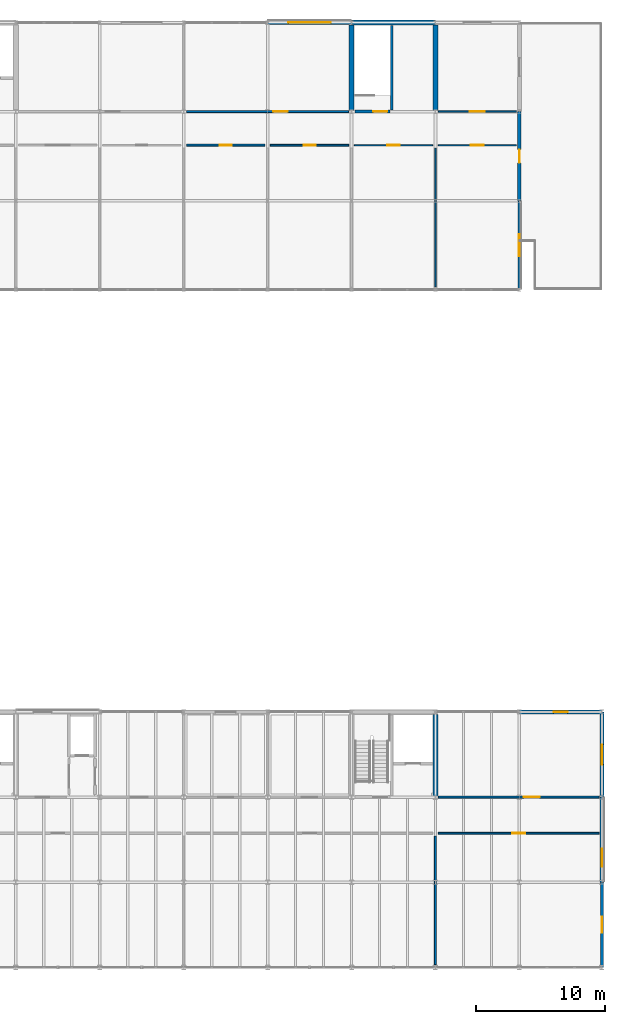
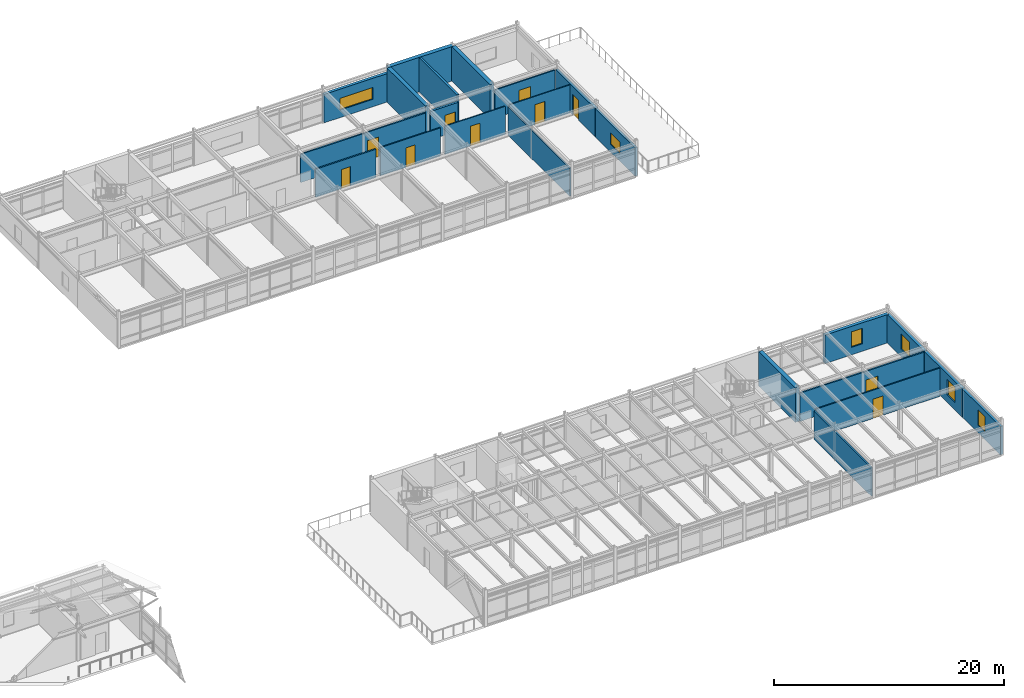
# One storey, part 50 of 57: 23 walls, 10 doors, 6 windows, 16 openings.
"""IFC4 building model written with IfcOpenShell, lengths in metres."""

import ifcopenshell
import ifcopenshell.guid

model = None  # the IFC model being written
_history = None  # IfcOwnerHistory: only IFC2X3 demands one
_inside = {}  # id of a spatial element -> (the spatial element, [elements in it])
_under = {}  # id of a project, library or spatial element -> (it, [spatial elements below it])
_declared = {}  # id of a project -> (the project, [libraries it declares])
_typed = {}  # id of a type object -> (the type object, [elements of that type])
_made_of = {}  # id of a material, layer set ... -> (it, [elements and type objects made of it])


def new_model(schema):
    """Start an empty IFC model of exactly this schema.

    Asked for "IFC4X3", IfcOpenShell would pick the latest addendum, in which some entities
    have other attributes; the version numbers below select the first issue.
    IFC2X3 requires an IfcOwnerHistory on every rooted entity: one is made here for all.
    """
    global model, _history
    if schema == "IFC4X3":
        model = ifcopenshell.file(schema_version=(4, 3, 0, 0))
    else:
        model = ifcopenshell.file(schema=schema)
    _inside.clear()
    _under.clear()
    _declared.clear()
    _typed.clear()
    _made_of.clear()
    _history = None
    if model.schema == "IFC2X3":
        org = make("IfcOrganization", Name="unknown")
        user = make(
            "IfcPersonAndOrganization",
            ThePerson=make("IfcPerson", FamilyName="unknown"),
            TheOrganization=org,
        )
        app = make(
            "IfcApplication",
            ApplicationDeveloper=org,
            Version="unknown",
            ApplicationFullName="unknown",
            ApplicationIdentifier="unknown",
        )
        _history = make(
            "IfcOwnerHistory",
            OwningUser=user,
            OwningApplication=app,
            ChangeAction="ADDED",
            CreationDate=0,
        )
    return model


def make(cls, **values):
    """One entity of the class cls with the attributes given. An attribute that is None is left unset."""
    return model.create_entity(
        cls, **{name: value for name, value in values.items() if value is not None}
    )


def rooted(cls, **values):
    """An entity with a GlobalId (a new one), such as an element, a storey or a relation."""
    return make(cls, GlobalId=ifcopenshell.guid.new(), OwnerHistory=_history, **values)


def si_unit(unit_type, name, prefix=None):
    """IfcSIUnit, for example si_unit("LENGTHUNIT", "METRE", prefix="MILLI")."""
    return make("IfcSIUnit", UnitType=unit_type, Prefix=prefix, Name=name)


def assignment(units):
    """IfcUnitAssignment: the units of a project."""
    return None if units is None else make("IfcUnitAssignment", Units=units)


def point(xyz):
    """IfcCartesianPoint."""
    return None if xyz is None else make("IfcCartesianPoint", Coordinates=xyz)


def direction(xyz):
    """IfcDirection."""
    return None if xyz is None else make("IfcDirection", DirectionRatios=xyz)


def frame(location, z_axis=None, x_axis=None):
    """IfcAxis2Placement3D, a coordinate frame: its origin and axes. An axis left out is left unset."""
    return make(
        "IfcAxis2Placement3D",
        Location=point(location),
        Axis=direction(z_axis),
        RefDirection=direction(x_axis),
    )


def frame_2d(location, x_axis=None):
    """IfcAxis2Placement2D, a coordinate frame in the plane: its origin and x axis."""
    return make(
        "IfcAxis2Placement2D", Location=point(location), RefDirection=direction(x_axis)
    )


def origin():
    """The frame at (0, 0, 0) with its axes left unset."""
    return frame((0.0, 0.0, 0.0))


def place(relative_to, where):
    """IfcLocalPlacement: puts the frame where relative to a parent placement (None: the world)."""
    return make(
        "IfcLocalPlacement", PlacementRelTo=relative_to, RelativePlacement=where
    )


def context(
    kind, dimensions, precision=None, world=None, true_north=None, identifier=None
):
    """IfcGeometricRepresentationContext, for example the 3D "Model" context."""
    return make(
        "IfcGeometricRepresentationContext",
        ContextIdentifier=identifier,
        ContextType=kind,
        CoordinateSpaceDimension=dimensions,
        Precision=precision,
        WorldCoordinateSystem=world,
        TrueNorth=true_north,
    )


def subcontext(parent, identifier, kind, view, scale=None):
    """IfcGeometricRepresentationSubContext, for example "Body" below "Model"."""
    return make(
        "IfcGeometricRepresentationSubContext",
        ContextIdentifier=identifier,
        ContextType=kind,
        ParentContext=parent,
        TargetScale=scale,
        TargetView=view,
    )


def project(units=None, contexts=None):
    """IfcProject with its units and contexts."""
    return rooted(
        "IfcProject",
        Name="project",
        RepresentationContexts=contexts,
        UnitsInContext=assignment(units),
    )


def spatial(cls, under=None, at=None, **own):
    """A site, building, storey or space (cls), placed at a placement, below another one or the project."""
    s = rooted(cls, ObjectPlacement=at, **own)
    if under is not None:
        _under.setdefault(under.id(), (under, []))[1].append(s)
    return s


def profile(cls, at=None, kind="AREA", **sizes):
    """A parametric profile (cls). Its sizes go by their IFC names, for example OverallWidth=200.0."""
    return make(cls, ProfileType=kind, Position=at, **sizes)


def rectangle(**sizes):
    """IfcRectangleProfileDef."""
    return profile("IfcRectangleProfileDef", **sizes)


def extrude(swept, where, along, depth):
    """IfcExtrudedAreaSolid: the profile swept, set in the frame where, extruded along a direction by depth."""
    return make(
        "IfcExtrudedAreaSolid",
        SweptArea=swept,
        Position=where,
        ExtrudedDirection=direction(along),
        Depth=depth,
    )


def shape(context_of_items, identifier, shape_type, items):
    """IfcShapeRepresentation: the items that make up one representation, for example the "Body"."""
    return make(
        "IfcShapeRepresentation",
        ContextOfItems=context_of_items,
        RepresentationIdentifier=identifier,
        RepresentationType=shape_type,
        Items=items,
    )


def material(Name=None, Category=None):
    """IfcMaterial."""
    return make("IfcMaterial", Name=Name, Category=Category)


def layer(
    of_material, thickness, ventilated=None, Name=None, Category=None, Priority=None
):
    """IfcMaterialLayer: one layer of a wall or slab, of a material (None: an air gap)."""
    return make(
        "IfcMaterialLayer",
        Material=of_material,
        LayerThickness=thickness,
        IsVentilated=ventilated,
        Name=Name,
        Category=Category,
        Priority=Priority,
    )


def layer_set(layers, Name=None):
    """IfcMaterialLayerSet."""
    return make("IfcMaterialLayerSet", MaterialLayers=layers, LayerSetName=Name)


def made_of(thing, what):
    """Note that an element or type object is made of a material, layer set ...; save() writes the relation."""
    if what is not None:
        _made_of.setdefault(what.id(), (what, []))[1].append(thing)
    return thing


def type_object(cls, material=None, **own):
    """A type object (cls), such as IfcWallType, which elements share."""
    return made_of(rooted(cls, **own), material)


def element(
    cls,
    number,
    at=None,
    inside=None,
    cuts=None,
    type_object=None,
    material=None,
    context=None,
    identifier="Body",
    shape_type=None,
    held_by="IfcProductDefinitionShape",
    body=None,
    shapes=None,
    **own,
):
    """One element of the class cls, such as IfcWall. Its Tag is "e" and its number.

    at: its placement. inside: the storey or other place that contains it. cuts: it is an
    opening in that element (IfcRelVoidsElement). A single representation is given by context,
    identifier, shape_type and body (its items); several are given by shapes. held_by: the class
    of the entity that holds the representations. save() writes the other relations.
    """
    e = rooted(cls, Tag="e%d" % number, ObjectPlacement=at, **own)
    if body is not None:
        shapes = [shape(context, identifier, shape_type, body)]
    if shapes is not None:
        e.Representation = make(held_by, Representations=shapes)
    if inside is not None:
        _inside.setdefault(inside.id(), (inside, []))[1].append(e)
    if cuts is not None:
        rooted(
            "IfcRelVoidsElement", RelatingBuildingElement=cuts, RelatedOpeningElement=e
        )
    if type_object is not None:
        _typed.setdefault(type_object.id(), (type_object, []))[1].append(e)
    return made_of(e, material)


def fill(opening, filler):
    """IfcRelFillsElement: the door or window that sits in an opening."""
    return rooted(
        "IfcRelFillsElement",
        RelatingOpeningElement=opening,
        RelatedBuildingElement=filler,
    )


def aggregate(whole, parts):
    """IfcRelAggregates: a whole, such as a stair, and the parts it consists of."""
    return rooted("IfcRelAggregates", RelatingObject=whole, RelatedObjects=parts)


def save(model, path):
    """Write the relations noted so far, then the file.

    IfcRelAggregates (storeys below a building ...), IfcRelContainedInSpatialStructure (elements
    in a storey), IfcRelDefinesByType, IfcRelAssociatesMaterial and IfcRelDeclares: one each for
    every whole, place, type object, material and project.
    """
    for whole, parts in _under.values():
        aggregate(whole, parts)
    for where, things in _inside.values():
        rooted(
            "IfcRelContainedInSpatialStructure",
            RelatedElements=things,
            RelatingStructure=where,
        )
    for kind, things in _typed.values():
        rooted("IfcRelDefinesByType", RelatedObjects=things, RelatingType=kind)
    for what, things in _made_of.values():
        rooted("IfcRelAssociatesMaterial", RelatedObjects=things, RelatingMaterial=what)
    for by, libraries in _declared.values():
        rooted("IfcRelDeclares", RelatingContext=by, RelatedDefinitions=libraries)
    model.write(path)


model = new_model("IFC4")

# Units and contexts
model_context = context("Model", 3, precision=1e-05, world=origin(), true_north=direction((0.0, 1.0)))
body_context = subcontext(model_context, "Body", "Model", "MODEL_VIEW")
ifc_project = project(units=[si_unit("LENGTHUNIT", "METRE"), si_unit("AREAUNIT", "SQUARE_METRE"), si_unit("VOLUMEUNIT", "CUBIC_METRE"), si_unit("PLANEANGLEUNIT", "RADIAN"), si_unit("MASSUNIT", "GRAM", prefix="KILO")], contexts=[model_context])

# Site, building, storey
site_placement = place(None, origin())
site = spatial("IfcSite", under=ifc_project, at=site_placement, CompositionType="ELEMENT")
building_placement = place(site_placement, origin())
building = spatial("IfcBuilding", under=site, at=building_placement, Name="Trelmorton Wharf Fire Station", CompositionType="ELEMENT")
storey_placement = place(building_placement, frame((0.0, 0.0, 13.5)))
storey = spatial("IfcBuildingStorey", under=building, at=storey_placement, Name="L03", CompositionType="ELEMENT", Elevation=13.5)

# Wall, opening, window
ifc_material_1 = material(Name="Precast concrete 45 MPa", Category="concrete")
ifc_layer_1 = layer(ifc_material_1, 0.22998046875)
ifc_layer_set_1 = layer_set([ifc_layer_1], Name="Precast concrete 45 MPa")
wall_type_1 = type_object("IfcWallType", Name="EW_PREC_230", PredefinedType="SOLIDWALL", material=ifc_layer_set_1)
wall_1_placement = place(storey_placement, frame((156.0, 67.195068359375, 0.0), z_axis=(0.0, 0.0, 1.0), x_axis=(0.0, -1.0, 0.0)))
wall_1 = element("IfcWall", 1, at=wall_1_placement, inside=storey, type_object=wall_type_1, Name="EW-V4-L03-0240", PredefinedType="SOLIDWALL", context=body_context, shape_type="SweptSolid", body=[
    extrude(rectangle(XDim=6.89013671875, YDim=0.22998046875, at=frame_2d((3.445068359375, 0.0))), origin(), (0.0, 0.0, 1.0), 3.02001953125),
])
opening_1_placement = place(wall_1_placement, frame((2.594970703125, 0.0, 0.800048828125)))
opening_1 = element("IfcOpeningElement", 2, at=opening_1_placement, cuts=wall_1, Name="Opening W32", PredefinedType="OPENING", context=body_context, shape_type="SweptSolid", body=[
    extrude(rectangle(XDim=1.699951171875, YDim=1.25, at=frame_2d((0.85009765625, 0.625))), frame((0.0, 0.125, 0.0), z_axis=(0.0, -1.0, 0.0), x_axis=(1.0, 0.0, 0.0)), (0.0, 0.0, 1.0), 0.25),
])
ifc_material_2 = material(Name="Tempered low-E double glazing", Category="glass")
window_type_1 = type_object("IfcWindowType", Name="WIN_W32", PartitioningType="DOUBLE_PANEL_VERTICAL", PredefinedType="WINDOW", material=ifc_material_2)
window_1_placement = place(opening_1_placement, origin())
window_1 = element("IfcWindow", 3, at=window_1_placement, inside=storey, type_object=window_type_1, Name="WN-V4-L03-0139", OverallHeight=1.25, OverallWidth=1.699951171875, PartitioningType="DOUBLE_PANEL_VERTICAL", PredefinedType="WINDOW", context=body_context, shape_type="SweptSolid", body=[
    extrude(rectangle(XDim=1.699951171875, YDim=1.25, at=frame_2d((0.85009765625, 0.625))), frame((0.0, 0.030029296875, 0.0), z_axis=(0.0, -1.0, 0.0), x_axis=(1.0, 0.0, 0.0)), (0.0, 0.0, 1.0), 0.06005859375),
])
fill(opening_1, window_1)

ifc_layer_2 = layer(ifc_material_1, 0.25)
ifc_layer_set_2 = layer_set([ifc_layer_2], Name="Precast concrete 45 MPa")
wall_type_2 = type_object("IfcWallType", Name="EW_PREC_250", PredefinedType="SOLIDWALL", material=ifc_layer_set_2)
wall_2_placement = place(storey_placement, frame((162.39990234375, 14.39501953125, 0.0), z_axis=(0.0, 0.0, 1.0), x_axis=(0.0, -1.0, 0.0)))
wall_2 = element("IfcWall", 4, at=wall_2_placement, inside=storey, type_object=wall_type_2, Name="EW-V5-L03-0103", PredefinedType="SOLIDWALL", context=body_context, shape_type="SweptSolid", body=[
    extrude(rectangle(XDim=6.590087890625, YDim=0.25, at=frame_2d((3.294921875, 0.0))), origin(), (0.0, 0.0, 1.0), 3.02001953125),
])
opening_2_placement = place(wall_2_placement, frame((2.669921875, 0.0, 0.800048828125)))
opening_2 = element("IfcOpeningElement", 5, at=opening_2_placement, cuts=wall_2, Name="Opening W38", PredefinedType="OPENING", context=body_context, shape_type="SweptSolid", body=[
    extrude(rectangle(XDim=1.25, YDim=1.64990234375, at=frame_2d((0.625, 0.824951171875))), frame((0.0, 0.135009765625, 0.0), z_axis=(0.0, -1.0, 0.0), x_axis=(1.0, 0.0, 0.0)), (0.0, 0.0, 1.0), 0.27001953125),
])
window_type_2 = type_object("IfcWindowType", Name="WIN_W38", PartitioningType="SINGLE_PANEL", PredefinedType="WINDOW", material=ifc_material_2)
window_2_placement = place(opening_2_placement, origin())
window_2 = element("IfcWindow", 6, at=window_2_placement, inside=storey, type_object=window_type_2, Name="WN-V5-L03-0052", OverallHeight=1.64990234375, OverallWidth=1.25, PartitioningType="SINGLE_PANEL", PredefinedType="WINDOW", context=body_context, shape_type="SweptSolid", body=[
    extrude(rectangle(XDim=1.25, YDim=1.64990234375, at=frame_2d((0.625, 0.824951171875))), frame((0.0, 0.030029296875, 0.0), z_axis=(0.0, -1.0, 0.0), x_axis=(1.0, 0.0, 0.0)), (0.0, 0.0, 1.0), 0.06005859375),
])
fill(opening_2, window_2)

# Wall, opening, door
ifc_layer_3 = layer(ifc_material_1, 0.27001953125)
ifc_layer_set_3 = layer_set([ifc_layer_3], Name="Precast concrete 45 MPa")
wall_type_3 = type_object("IfcWallType", Name="EW_PREC_270", PredefinedType="SOLIDWALL", material=ifc_layer_set_3)
wall_3_placement = place(storey_placement, frame((156.0, 74.094970703125, 0.0), z_axis=(0.0, 0.0, 1.0), x_axis=(0.0, -1.0, 0.0)))
wall_3 = element("IfcWall", 7, at=wall_3_placement, inside=storey, type_object=wall_type_3, Name="EW-V4-L03-0242", PredefinedType="SOLIDWALL", context=body_context, shape_type="SweptSolid", body=[
    extrude(rectangle(XDim=6.889892578125, YDim=0.27001953125, at=frame_2d((3.44482421875, 0.0))), origin(), (0.0, 0.0, 1.0), 3.02001953125),
])
opening_3_placement = place(wall_3_placement, frame((2.93505859375, 0.0, 0.0)))
opening_3 = element("IfcOpeningElement", 8, at=opening_3_placement, cuts=wall_3, Name="Opening TD-035", PredefinedType="OPENING", context=body_context, shape_type="SweptSolid", body=[
    extrude(rectangle(XDim=1.02001953125, YDim=2.139892578125, at=frame_2d((0.510009765625, 1.06982421875))), frame((0.0, 0.14501953125, 0.0), z_axis=(0.0, -1.0, 0.0), x_axis=(1.0, 0.0, 0.0)), (0.0, 0.0, 1.0), 0.2900390625),
])
ifc_material_3 = material(Name="Anodised aluminium AW-6063", Category="aluminium")
door_type_1 = type_object("IfcDoorType", Name="DR_TER_SGL_102", OperationType="NOTDEFINED", PredefinedType="DOOR", material=ifc_material_3)
door_1_placement = place(opening_3_placement, origin())
door_1 = element("IfcDoor", 9, at=door_1_placement, inside=storey, type_object=door_type_1, Name="Terrace Door TD-035", OperationType="SINGLE_SWING_LEFT", OverallHeight=2.139892578125, OverallWidth=1.02001953125, PredefinedType="DOOR", context=body_context, shape_type="SweptSolid", body=[
    extrude(rectangle(XDim=1.02001953125, YDim=2.139892578125, at=frame_2d((0.510009765625, 1.06982421875))), frame((0.0, 0.02490234375, 0.0), z_axis=(0.0, -1.0, 0.0), x_axis=(1.0, 0.0, 0.0)), (0.0, 0.0, 1.0), 0.050048828125),
])
fill(opening_3, door_1)

# Wall, opening, window
ifc_layer_4 = layer(ifc_material_1, 0.2900390625)
ifc_layer_set_4 = layer_set([ifc_layer_4], Name="Precast concrete 45 MPa")
wall_type_4 = type_object("IfcWallType", Name="EW_TERR_290", PredefinedType="SOLIDWALL", material=ifc_layer_set_4)
wall_4_placement = place(storey_placement, frame((162.39990234375, 20.9951171875, 0.0), z_axis=(0.0, 0.0, 1.0), x_axis=(0.0, -1.0, 0.0)))
wall_4 = element("IfcWall", 10, at=wall_4_placement, inside=storey, type_object=wall_type_4, Name="EW-V5-L03-0105", PredefinedType="SOLIDWALL", context=body_context, shape_type="SweptSolid", body=[
    extrude(rectangle(XDim=6.590087890625, YDim=0.2900390625, at=frame_2d((3.294921875, 0.0))), origin(), (0.0, 0.0, 1.0), 3.02001953125),
])
opening_4_placement = place(wall_4_placement, frame((3.9775390625, 0.0, 0.800048828125)))
opening_4 = element("IfcOpeningElement", 11, at=opening_4_placement, cuts=wall_4, Name="Opening W39", PredefinedType="OPENING", context=body_context, shape_type="SweptSolid", body=[
    extrude(rectangle(XDim=1.39990234375, YDim=1.64990234375, at=frame_2d((0.699951171875, 0.824951171875))), frame((0.0, 0.155029296875, 0.0), z_axis=(0.0, -1.0, 0.0), x_axis=(1.0, 0.0, 0.0)), (0.0, 0.0, 1.0), 0.31005859375),
])
window_type_3 = type_object("IfcWindowType", Name="WIN_W39", PartitioningType="SINGLE_PANEL", PredefinedType="WINDOW", material=ifc_material_2)
window_3_placement = place(opening_4_placement, origin())
window_3 = element("IfcWindow", 12, at=window_3_placement, inside=storey, type_object=window_type_3, Name="WN-V5-L03-0053", OverallHeight=1.64990234375, OverallWidth=1.39990234375, PartitioningType="SINGLE_PANEL", PredefinedType="WINDOW", context=body_context, shape_type="SweptSolid", body=[
    extrude(rectangle(XDim=1.39990234375, YDim=1.64990234375, at=frame_2d((0.699951171875, 0.824951171875))), frame((0.0, 0.030029296875, 0.0), z_axis=(0.0, -1.0, 0.0), x_axis=(1.0, 0.0, 0.0)), (0.0, 0.0, 1.0), 0.06005859375),
])
fill(opening_4, window_3)

wall_5_placement = place(storey_placement, frame((136.5048828125, 81.0, 0.0), z_axis=(0.0, 0.0, 1.0), x_axis=(1.0, 0.0, 0.0)))
wall_5 = element("IfcWall", 13, at=wall_5_placement, inside=storey, type_object=wall_type_4, Name="EW-V4-L03-0237", PredefinedType="SOLIDWALL", context=body_context, shape_type="SweptSolid", body=[
    extrude(rectangle(XDim=6.490234375, YDim=0.2900390625, at=frame_2d((3.2451171875, 0.0))), origin(), (0.0, 0.0, 1.0), 3.02001953125),
])
opening_5_placement = place(wall_5_placement, frame((1.594970703125, 0.0, 0.800048828125)))
opening_5 = element("IfcOpeningElement", 14, at=opening_5_placement, cuts=wall_5, Name="Opening W30", PredefinedType="OPENING", context=body_context, shape_type="SweptSolid", body=[
    extrude(rectangle(XDim=3.300048828125, YDim=1.25, at=frame_2d((1.64990234375, 0.625))), frame((0.0, 0.155029296875, 0.0), z_axis=(0.0, -1.0, 0.0), x_axis=(1.0, 0.0, 0.0)), (0.0, 0.0, 1.0), 0.31005859375),
])
window_type_4 = type_object("IfcWindowType", Name="WIN_W30", PartitioningType="TRIPLE_PANEL_VERTICAL", PredefinedType="WINDOW", material=ifc_material_2)
window_4_placement = place(opening_5_placement, origin())
window_4 = element("IfcWindow", 15, at=window_4_placement, inside=storey, type_object=window_type_4, Name="WN-V4-L03-0137", OverallHeight=1.25, OverallWidth=3.300048828125, PartitioningType="TRIPLE_PANEL_VERTICAL", PredefinedType="WINDOW", context=body_context, shape_type="SweptSolid", body=[
    extrude(rectangle(XDim=3.300048828125, YDim=1.25, at=frame_2d((1.64990234375, 0.625))), frame((0.0, 0.030029296875, 0.0), z_axis=(0.0, -1.0, 0.0), x_axis=(1.0, 0.0, 0.0)), (0.0, 0.0, 1.0), 0.06005859375),
])
fill(opening_5, window_4)

ifc_layer_5 = layer(ifc_material_1, 0.31005859375)
ifc_layer_set_5 = layer_set([ifc_layer_5], Name="Precast concrete 45 MPa")
wall_type_5 = type_object("IfcWallType", Name="EW_TERR_310", PredefinedType="SOLIDWALL", material=ifc_layer_set_5)
wall_6_placement = place(storey_placement, frame((162.39990234375, 27.594970703125, 0.0), z_axis=(0.0, 0.0, 1.0), x_axis=(0.0, -1.0, 0.0)))
wall_6 = element("IfcWall", 16, at=wall_6_placement, inside=storey, type_object=wall_type_5, Name="EW-V5-L03-0106", PredefinedType="SOLIDWALL", context=body_context, shape_type="SweptSolid", body=[
    extrude(rectangle(XDim=6.590087890625, YDim=0.31005859375, at=frame_2d((3.294921875, 0.0))), origin(), (0.0, 0.0, 1.0), 3.02001953125),
])
opening_6_placement = place(wall_6_placement, frame((2.52001953125, 0.0, 0.800048828125)))
opening_6 = element("IfcOpeningElement", 17, at=opening_6_placement, cuts=wall_6, Name="Opening W40", PredefinedType="OPENING", context=body_context, shape_type="SweptSolid", body=[
    extrude(rectangle(XDim=1.550048828125, YDim=1.64990234375, at=frame_2d((0.77490234375, 0.824951171875))), frame((0.0, 0.1650390625, 0.0), z_axis=(0.0, -1.0, 0.0), x_axis=(1.0, 0.0, 0.0)), (0.0, 0.0, 1.0), 0.330078125),
])
window_type_5 = type_object("IfcWindowType", Name="WIN_W40", PartitioningType="SINGLE_PANEL", PredefinedType="WINDOW", material=ifc_material_2)
window_5_placement = place(opening_6_placement, origin())
window_5 = element("IfcWindow", 18, at=window_5_placement, inside=storey, type_object=window_type_5, Name="WN-V5-L03-0054", OverallHeight=1.64990234375, OverallWidth=1.550048828125, PartitioningType="SINGLE_PANEL", PredefinedType="WINDOW", context=body_context, shape_type="SweptSolid", body=[
    extrude(rectangle(XDim=1.550048828125, YDim=1.64990234375, at=frame_2d((0.77490234375, 0.824951171875))), frame((0.0, 0.030029296875, 0.0), z_axis=(0.0, -1.0, 0.0), x_axis=(1.0, 0.0, 0.0)), (0.0, 0.0, 1.0), 0.06005859375),
])
fill(opening_6, window_5)

ifc_layer_6 = layer(ifc_material_1, 0.330078125)
ifc_layer_set_6 = layer_set([ifc_layer_6], Name="Precast concrete 45 MPa")
wall_type_6 = type_object("IfcWallType", Name="EW_TERR_330", PredefinedType="SOLIDWALL", material=ifc_layer_set_6)
wall_7_placement = place(storey_placement, frame((156.0048828125, 27.60009765625, 0.0), z_axis=(0.0, 0.0, 1.0), x_axis=(1.0, 0.0, 0.0)))
wall_7 = element("IfcWall", 19, at=wall_7_placement, inside=storey, type_object=wall_type_6, Name="EW-V5-L03-0101", PredefinedType="SOLIDWALL", context=body_context, shape_type="SweptSolid", body=[
    extrude(rectangle(XDim=6.39013671875, YDim=0.330078125, at=frame_2d((3.195068359375, 0.0))), origin(), (0.0, 0.0, 1.0), 3.02001953125),
])
opening_7_placement = place(wall_7_placement, frame((2.64501953125, 0.0, 0.800048828125)))
opening_7 = element("IfcOpeningElement", 20, at=opening_7_placement, cuts=wall_7, Name="Opening W37", PredefinedType="OPENING", context=body_context, shape_type="SweptSolid", body=[
    extrude(rectangle(XDim=1.10009765625, YDim=1.64990234375, at=frame_2d((0.550048828125, 0.824951171875))), frame((0.0, 0.175048828125, 0.0), z_axis=(0.0, -1.0, 0.0), x_axis=(1.0, 0.0, 0.0)), (0.0, 0.0, 1.0), 0.35009765625),
])
window_type_6 = type_object("IfcWindowType", Name="WIN_W37", PartitioningType="SINGLE_PANEL", PredefinedType="WINDOW", material=ifc_material_2)
window_6_placement = place(opening_7_placement, origin())
window_6 = element("IfcWindow", 21, at=window_6_placement, inside=storey, type_object=window_type_6, Name="WN-V5-L03-0051", OverallHeight=1.64990234375, OverallWidth=1.10009765625, PartitioningType="SINGLE_PANEL", PredefinedType="WINDOW", context=body_context, shape_type="SweptSolid", body=[
    extrude(rectangle(XDim=1.10009765625, YDim=1.64990234375, at=frame_2d((0.550048828125, 0.824951171875))), frame((0.0, 0.030029296875, 0.0), z_axis=(0.0, -1.0, 0.0), x_axis=(1.0, 0.0, 0.0)), (0.0, 0.0, 1.0), 0.06005859375),
])
fill(opening_7, window_6)

# Wall
ifc_material_4 = material(Name="Gypsum plasterboard partition")
ifc_layer_7 = layer(ifc_material_4, 0.14990234375)
ifc_layer_set_7 = layer_set([ifc_layer_7], Name="Gypsum plasterboard partition")
wall_type_7 = type_object("IfcWallType", Name="IW_ACOU_150", PredefinedType="PARTITIONING", material=ifc_layer_set_7)
wall_8_placement = place(storey_placement, frame((149.5, 8.02001953125, 0.0), z_axis=(0.0, 0.0, 1.0), x_axis=(0.0, 1.0, 0.0)))
element("IfcWall", 22, at=wall_8_placement, inside=storey, type_object=wall_type_7, Name="IW-L03-0184", PredefinedType="PARTITIONING", context=body_context, shape_type="SweptSolid", body=[
    extrude(rectangle(XDim=9.9599609375, YDim=0.14990234375, at=frame_2d((4.97998046875, 0.0))), origin(), (0.0, 0.0, 1.0), 3.0),
])

# Wall, opening, door
wall_9_placement = place(storey_placement, frame((149.719970703125, 21.0, 0.0), z_axis=(0.0, 0.0, 1.0), x_axis=(1.0, 0.0, 0.0)))
wall_9 = element("IfcWall", 23, at=wall_9_placement, inside=storey, type_object=wall_type_7, Name="IW-L03-0191", PredefinedType="PARTITIONING", context=body_context, shape_type="SweptSolid", body=[
    extrude(rectangle(XDim=12.4599609375, YDim=0.14990234375, at=frame_2d((6.22998046875, 0.0))), origin(), (0.0, 0.0, 1.0), 3.0),
])
opening_8_placement = place(wall_9_placement, frame((6.614990234375, 0.0, 0.0)))
opening_8 = element("IfcOpeningElement", 24, at=opening_8_placement, cuts=wall_9, Name="Opening D-131", PredefinedType="OPENING", context=body_context, shape_type="SweptSolid", body=[
    extrude(rectangle(XDim=1.22998046875, YDim=2.080078125, at=frame_2d((0.614990234375, 1.0400390625))), frame((0.0, 0.0849609375, 0.0), z_axis=(0.0, -1.0, 0.0), x_axis=(1.0, 0.0, 0.0)), (0.0, 0.0, 1.0), 0.169921875),
])
ifc_material_5 = material(Name="Acoustic timber panelling", Category="wood")
door_type_2 = type_object("IfcDoorType", Name="DR_INT_123", OperationType="NOTDEFINED", PredefinedType="DOOR", material=ifc_material_5)
door_2_placement = place(opening_8_placement, origin())
door_2 = element("IfcDoor", 25, at=door_2_placement, inside=storey, type_object=door_type_2, Name="Interior Door D-131", OperationType="SINGLE_SWING_LEFT", OverallHeight=2.080078125, OverallWidth=1.22998046875, PredefinedType="DOOR", context=body_context, shape_type="SweptSolid", body=[
    extrude(rectangle(XDim=1.22998046875, YDim=2.080078125, at=frame_2d((0.614990234375, 1.0400390625))), frame((0.0, 0.02490234375, 0.0), z_axis=(0.0, -1.0, 0.0), x_axis=(1.0, 0.0, 0.0)), (0.0, 0.0, 1.0), 0.050048828125),
])
fill(opening_8, door_2)

wall_10_placement = place(storey_placement, frame((130.219970703125, 71.5, 0.0), z_axis=(0.0, 0.0, 1.0), x_axis=(1.0, 0.0, 0.0)))
wall_10 = element("IfcWall", 26, at=wall_10_placement, inside=storey, type_object=wall_type_7, Name="IW-L03-0212", PredefinedType="PARTITIONING", context=body_context, shape_type="SweptSolid", body=[
    extrude(rectangle(XDim=6.06005859375, YDim=0.14990234375, at=frame_2d((3.030029296875, 0.0))), origin(), (0.0, 0.0, 1.0), 3.0),
])
opening_9_placement = place(wall_10_placement, frame((2.574951171875, 0.0, 0.0)))
opening_9 = element("IfcOpeningElement", 27, at=opening_9_placement, cuts=wall_10, Name="Opening D-142", PredefinedType="OPENING", context=body_context, shape_type="SweptSolid", body=[
    extrude(rectangle(XDim=0.909912109375, YDim=2.06005859375, at=frame_2d((0.455078125, 1.030029296875))), frame((0.0, 0.0849609375, 0.0), z_axis=(0.0, -1.0, 0.0), x_axis=(1.0, 0.0, 0.0)), (0.0, 0.0, 1.0), 0.169921875),
])
door_type_3 = type_object("IfcDoorType", Name="DR_INT_091", OperationType="NOTDEFINED", PredefinedType="DOOR", material=ifc_material_5)
door_3_placement = place(opening_9_placement, origin())
door_3 = element("IfcDoor", 28, at=door_3_placement, inside=storey, type_object=door_type_3, Name="Interior Door D-142", OperationType="SINGLE_SWING_LEFT", OverallHeight=2.06005859375, OverallWidth=0.909912109375, PredefinedType="DOOR", context=body_context, shape_type="SweptSolid", body=[
    extrude(rectangle(XDim=0.909912109375, YDim=2.06005859375, at=frame_2d((0.455078125, 1.030029296875))), frame((0.0, 0.02490234375, 0.0), z_axis=(0.0, -1.0, 0.0), x_axis=(1.0, 0.0, 0.0)), (0.0, 0.0, 1.0), 0.050048828125),
])
fill(opening_9, door_3)

# Wall
ifc_material_6 = material(Name="Concrete 40 MPa", Category="concrete")
ifc_layer_8 = layer(ifc_material_6, 0.219970703125)
ifc_layer_set_8 = layer_set([ifc_layer_8], Name="Concrete 40 MPa")
wall_type_8 = type_object("IfcWallType", Name="IW_CORE_220", PredefinedType="SOLIDWALL", material=ifc_layer_set_8)
wall_11_placement = place(storey_placement, frame((146.1201171875, 74.219970703125, 0.0), z_axis=(0.0, 0.0, 1.0), x_axis=(0.0, 1.0, 0.0)))
element("IfcWall", 29, at=wall_11_placement, inside=storey, type_object=wall_type_8, Name="IW-C8-DIV-L03", PredefinedType="SOLIDWALL", context=body_context, shape_type="SweptSolid", body=[
    extrude(rectangle(XDim=6.554931640625, YDim=0.219970703125, at=frame_2d((3.27734375, 0.0))), origin(), (0.0, 0.0, 1.0), 3.659912109375),
])

# Wall, opening, door
wall_12_placement = place(storey_placement, frame((143.260009765625, 74.10009765625, 0.0), z_axis=(0.0, 0.0, 1.0), x_axis=(1.0, 0.0, 0.0)))
wall_12 = element("IfcWall", 30, at=wall_12_placement, inside=storey, type_object=wall_type_8, Name="IW-C8-SF-L03", PredefinedType="SOLIDWALL", context=body_context, shape_type="SweptSolid", body=[
    extrude(rectangle(XDim=2.739990234375, YDim=0.219970703125, at=frame_2d((1.3701171875, 0.0))), origin(), (0.0, 0.0, 1.0), 3.02001953125),
])
opening_10_placement = place(wall_12_placement, frame((1.43994140625, 0.0, 0.0)))
opening_10 = element("IfcOpeningElement", 31, at=opening_10_placement, cuts=wall_12, Name="Opening FD-050", PredefinedType="OPENING", context=body_context, shape_type="SweptSolid", body=[
    extrude(rectangle(XDim=1.06005859375, YDim=2.10009765625, at=frame_2d((0.530029296875, 1.050048828125))), frame((0.0, 0.1201171875, 0.0), z_axis=(0.0, -1.0, 0.0), x_axis=(1.0, 0.0, 0.0)), (0.0, 0.0, 1.0), 0.239990234375),
])
ifc_material_7 = material(Name="Stainless steel 316 marine grade", Category="steel")
door_type_4 = type_object("IfcDoorType", Name="DR_FIRE_106", OperationType="NOTDEFINED", PredefinedType="DOOR", material=ifc_material_7)
door_4_placement = place(opening_10_placement, origin())
door_4 = element("IfcDoor", 32, at=door_4_placement, inside=storey, type_object=door_type_4, Name="Stair Fire Door FD-050", OperationType="SINGLE_SWING_RIGHT", OverallHeight=2.10009765625, OverallWidth=1.06005859375, PredefinedType="DOOR", context=body_context, shape_type="SweptSolid", body=[
    extrude(rectangle(XDim=1.06005859375, YDim=2.10009765625, at=frame_2d((0.530029296875, 1.050048828125))), frame((0.0, 0.02490234375, 0.0), z_axis=(0.0, -1.0, 0.0), x_axis=(1.0, 0.0, 0.0)), (0.0, 0.0, 1.0), 0.050048828125),
])
fill(opening_10, door_4)

ifc_layer_9 = layer(ifc_material_4, 0.10009765625)
ifc_layer_set_9 = layer_set([ifc_layer_9], Name="Gypsum plasterboard partition")
wall_type_9 = type_object("IfcWallType", Name="IW_PART_100", PredefinedType="PARTITIONING", material=ifc_layer_set_9)
wall_13_placement = place(storey_placement, frame((149.719970703125, 71.5, 0.0), z_axis=(0.0, 0.0, 1.0), x_axis=(1.0, 0.0, 0.0)))
wall_13 = element("IfcWall", 33, at=wall_13_placement, inside=storey, type_object=wall_type_9, Name="IW-L03-0217", PredefinedType="PARTITIONING", context=body_context, shape_type="SweptSolid", body=[
    extrude(rectangle(XDim=6.06005859375, YDim=0.10009765625, at=frame_2d((3.030029296875, 0.0))), origin(), (0.0, 0.0, 1.0), 3.0),
])
opening_11_placement = place(wall_13_placement, frame((2.530029296875, 0.0, 0.0)))
opening_11 = element("IfcOpeningElement", 34, at=opening_11_placement, cuts=wall_13, Name="Opening D-145", PredefinedType="OPENING", context=body_context, shape_type="SweptSolid", body=[
    extrude(rectangle(XDim=1.0, YDim=2.1201171875, at=frame_2d((0.5, 1.06005859375))), frame((0.0, 0.06005859375, 0.0), z_axis=(0.0, -1.0, 0.0), x_axis=(1.0, 0.0, 0.0)), (0.0, 0.0, 1.0), 0.1201171875),
])
door_type_5 = type_object("IfcDoorType", Name="DR_INT_100", OperationType="NOTDEFINED", PredefinedType="DOOR", material=ifc_material_5)
door_5_placement = place(opening_11_placement, origin())
door_5 = element("IfcDoor", 35, at=door_5_placement, inside=storey, type_object=door_type_5, Name="Interior Door D-145", OperationType="SINGLE_SWING_RIGHT", OverallHeight=2.1201171875, OverallWidth=1.0, PredefinedType="DOOR", context=body_context, shape_type="SweptSolid", body=[
    extrude(rectangle(XDim=1.0, YDim=2.1201171875, at=frame_2d((0.5, 1.06005859375))), frame((0.0, 0.02490234375, 0.0), z_axis=(0.0, -1.0, 0.0), x_axis=(1.0, 0.0, 0.0)), (0.0, 0.0, 1.0), 0.050048828125),
])
fill(opening_11, door_5)

ifc_layer_10 = layer(ifc_material_4, 0.110107421875)
ifc_layer_set_10 = layer_set([ifc_layer_10], Name="Gypsum plasterboard partition")
wall_type_10 = type_object("IfcWallType", Name="IW_PART_110", PredefinedType="PARTITIONING", material=ifc_layer_set_10)
wall_14_placement = place(storey_placement, frame((143.219970703125, 71.5, 0.0), z_axis=(0.0, 0.0, 1.0), x_axis=(1.0, 0.0, 0.0)))
wall_14 = element("IfcWall", 36, at=wall_14_placement, inside=storey, type_object=wall_type_10, Name="IW-L03-0216", PredefinedType="PARTITIONING", context=body_context, shape_type="SweptSolid", body=[
    extrude(rectangle(XDim=6.06005859375, YDim=0.110107421875, at=frame_2d((3.030029296875, 0.0))), origin(), (0.0, 0.0, 1.0), 3.0),
])
opening_12_placement = place(wall_14_placement, frame((2.544921875, 0.0, 0.0)))
opening_12 = element("IfcOpeningElement", 37, at=opening_12_placement, cuts=wall_14, Name="Opening D-144", PredefinedType="OPENING", context=body_context, shape_type="SweptSolid", body=[
    extrude(rectangle(XDim=0.969970703125, YDim=2.10009765625, at=frame_2d((0.48486328125, 1.050048828125))), frame((0.0, 0.06494140625, 0.0), z_axis=(0.0, -1.0, 0.0), x_axis=(1.0, 0.0, 0.0)), (0.0, 0.0, 1.0), 0.130126953125),
])
door_type_6 = type_object("IfcDoorType", Name="DR_INT_097", OperationType="NOTDEFINED", PredefinedType="DOOR", material=ifc_material_5)
door_6_placement = place(opening_12_placement, origin())
door_6 = element("IfcDoor", 38, at=door_6_placement, inside=storey, type_object=door_type_6, Name="Interior Door D-144", OperationType="SINGLE_SWING_LEFT", OverallHeight=2.10009765625, OverallWidth=0.969970703125, PredefinedType="DOOR", context=body_context, shape_type="SweptSolid", body=[
    extrude(rectangle(XDim=0.969970703125, YDim=2.10009765625, at=frame_2d((0.48486328125, 1.050048828125))), frame((0.0, 0.02490234375, 0.0), z_axis=(0.0, -1.0, 0.0), x_axis=(1.0, 0.0, 0.0)), (0.0, 0.0, 1.0), 0.050048828125),
])
fill(opening_12, door_6)

ifc_layer_11 = layer(ifc_material_4, 0.1298828125)
ifc_layer_set_11 = layer_set([ifc_layer_11], Name="Gypsum plasterboard partition")
wall_type_11 = type_object("IfcWallType", Name="IW_PART_130", PredefinedType="PARTITIONING", material=ifc_layer_set_11)
wall_15_placement = place(storey_placement, frame((149.719970703125, 18.199951171875, 0.0), z_axis=(0.0, 0.0, 1.0), x_axis=(1.0, 0.0, 0.0)))
wall_15 = element("IfcWall", 39, at=wall_15_placement, inside=storey, type_object=wall_type_11, Name="IW-L03-0186", PredefinedType="PARTITIONING", context=body_context, shape_type="SweptSolid", body=[
    extrude(rectangle(XDim=12.4599609375, YDim=0.1298828125, at=frame_2d((6.22998046875, 0.0))), origin(), (0.0, 0.0, 1.0), 3.0),
])
opening_13_placement = place(wall_15_placement, frame((5.715087890625, 0.0, 0.0)))
opening_13 = element("IfcOpeningElement", 40, at=opening_13_placement, cuts=wall_15, Name="Opening D-126", PredefinedType="OPENING", context=body_context, shape_type="SweptSolid", body=[
    extrude(rectangle(XDim=1.030029296875, YDim=2.06005859375, at=frame_2d((0.51513671875, 1.030029296875))), frame((0.0, 0.074951171875, 0.0), z_axis=(0.0, -1.0, 0.0), x_axis=(1.0, 0.0, 0.0)), (0.0, 0.0, 1.0), 0.14990234375),
])
door_type_7 = type_object("IfcDoorType", Name="DR_INT_103", OperationType="NOTDEFINED", PredefinedType="DOOR", material=ifc_material_5)
door_7_placement = place(opening_13_placement, origin())
door_7 = element("IfcDoor", 41, at=door_7_placement, inside=storey, type_object=door_type_7, Name="Interior Door D-126", OperationType="SINGLE_SWING_RIGHT", OverallHeight=2.06005859375, OverallWidth=1.030029296875, PredefinedType="DOOR", context=body_context, shape_type="SweptSolid", body=[
    extrude(rectangle(XDim=1.030029296875, YDim=2.06005859375, at=frame_2d((0.51513671875, 1.030029296875))), frame((0.0, 0.02490234375, 0.0), z_axis=(0.0, -1.0, 0.0), x_axis=(1.0, 0.0, 0.0)), (0.0, 0.0, 1.0), 0.050048828125),
])
fill(opening_13, door_7)

wall_16_placement = place(storey_placement, frame((136.719970703125, 71.5, 0.0), z_axis=(0.0, 0.0, 1.0), x_axis=(1.0, 0.0, 0.0)))
wall_16 = element("IfcWall", 42, at=wall_16_placement, inside=storey, type_object=wall_type_11, Name="IW-L03-0214", PredefinedType="PARTITIONING", context=body_context, shape_type="SweptSolid", body=[
    extrude(rectangle(XDim=6.06005859375, YDim=0.1298828125, at=frame_2d((3.030029296875, 0.0))), origin(), (0.0, 0.0, 1.0), 3.0),
])
opening_14_placement = place(wall_16_placement, frame((2.56005859375, 0.0, 0.0)))
opening_14 = element("IfcOpeningElement", 43, at=opening_14_placement, cuts=wall_16, Name="Opening D-143", PredefinedType="OPENING", context=body_context, shape_type="SweptSolid", body=[
    extrude(rectangle(XDim=0.93994140625, YDim=2.080078125, at=frame_2d((0.469970703125, 1.0400390625))), frame((0.0, 0.074951171875, 0.0), z_axis=(0.0, -1.0, 0.0), x_axis=(1.0, 0.0, 0.0)), (0.0, 0.0, 1.0), 0.14990234375),
])
door_type_8 = type_object("IfcDoorType", Name="DR_INT_094", OperationType="NOTDEFINED", PredefinedType="DOOR", material=ifc_material_5)
door_8_placement = place(opening_14_placement, origin())
door_8 = element("IfcDoor", 44, at=door_8_placement, inside=storey, type_object=door_type_8, Name="Interior Door D-143", OperationType="SINGLE_SWING_RIGHT", OverallHeight=2.080078125, OverallWidth=0.93994140625, PredefinedType="DOOR", context=body_context, shape_type="SweptSolid", body=[
    extrude(rectangle(XDim=0.93994140625, YDim=2.080078125, at=frame_2d((0.469970703125, 1.0400390625))), frame((0.0, 0.02490234375, 0.0), z_axis=(0.0, -1.0, 0.0), x_axis=(1.0, 0.0, 0.0)), (0.0, 0.0, 1.0), 0.050048828125),
])
fill(opening_14, door_8)

wall_17_placement = place(storey_placement, frame((149.719970703125, 74.10009765625, 0.0), z_axis=(0.0, 0.0, 1.0), x_axis=(1.0, 0.0, 0.0)))
wall_17 = element("IfcWall", 45, at=wall_17_placement, inside=storey, type_object=wall_type_11, Name="IW-L03-0221", PredefinedType="PARTITIONING", context=body_context, shape_type="SweptSolid", body=[
    extrude(rectangle(XDim=6.06005859375, YDim=0.1298828125, at=frame_2d((3.030029296875, 0.0))), origin(), (0.0, 0.0, 1.0), 3.0),
])
opening_15_placement = place(wall_17_placement, frame((2.455078125, 0.0, 0.0)))
opening_15 = element("IfcOpeningElement", 46, at=opening_15_placement, cuts=wall_17, Name="Opening D-149", PredefinedType="OPENING", context=body_context, shape_type="SweptSolid", body=[
    extrude(rectangle(XDim=1.14990234375, YDim=2.1201171875, at=frame_2d((0.574951171875, 1.06005859375))), frame((0.0, 0.074951171875, 0.0), z_axis=(0.0, -1.0, 0.0), x_axis=(1.0, 0.0, 0.0)), (0.0, 0.0, 1.0), 0.14990234375),
])
door_type_9 = type_object("IfcDoorType", Name="DR_INT_115", OperationType="NOTDEFINED", PredefinedType="DOOR", material=ifc_material_5)
door_9_placement = place(opening_15_placement, origin())
door_9 = element("IfcDoor", 47, at=door_9_placement, inside=storey, type_object=door_type_9, Name="Interior Door D-149", OperationType="SINGLE_SWING_RIGHT", OverallHeight=2.1201171875, OverallWidth=1.14990234375, PredefinedType="DOOR", context=body_context, shape_type="SweptSolid", body=[
    extrude(rectangle(XDim=1.14990234375, YDim=2.1201171875, at=frame_2d((0.574951171875, 1.06005859375))), frame((0.0, 0.02490234375, 0.0), z_axis=(0.0, -1.0, 0.0), x_axis=(1.0, 0.0, 0.0)), (0.0, 0.0, 1.0), 0.050048828125),
])
fill(opening_15, door_9)

ifc_layer_12 = layer(ifc_material_4, 0.139892578125)
ifc_layer_set_12 = layer_set([ifc_layer_12], Name="Gypsum plasterboard partition")
wall_type_12 = type_object("IfcWallType", Name="IW_PART_140", PredefinedType="PARTITIONING", material=ifc_layer_set_12)
wall_18_placement = place(storey_placement, frame((130.219970703125, 74.10009765625, 0.0), z_axis=(0.0, 0.0, 1.0), x_axis=(1.0, 0.0, 0.0)))
wall_18 = element("IfcWall", 48, at=wall_18_placement, inside=storey, type_object=wall_type_12, Name="IW-L03-0220", PredefinedType="PARTITIONING", context=body_context, shape_type="SweptSolid", body=[
    extrude(rectangle(XDim=12.56005859375, YDim=0.139892578125, at=frame_2d((6.280029296875, 0.0))), origin(), (0.0, 0.0, 1.0), 3.0),
])
opening_16_placement = place(wall_18_placement, frame((6.72509765625, 0.0, 0.0)))
opening_16 = element("IfcOpeningElement", 49, at=opening_16_placement, cuts=wall_18, Name="Opening D-148", PredefinedType="OPENING", context=body_context, shape_type="SweptSolid", body=[
    extrude(rectangle(XDim=1.110107421875, YDim=2.10009765625, at=frame_2d((0.55517578125, 1.050048828125))), frame((0.0, 0.080078125, 0.0), z_axis=(0.0, -1.0, 0.0), x_axis=(1.0, 0.0, 0.0)), (0.0, 0.0, 1.0), 0.159912109375),
])
door_type_10 = type_object("IfcDoorType", Name="DR_INT_111", OperationType="NOTDEFINED", PredefinedType="DOOR", material=ifc_material_5)
door_10_placement = place(opening_16_placement, origin())
door_10 = element("IfcDoor", 50, at=door_10_placement, inside=storey, type_object=door_type_10, Name="Interior Door D-148", OperationType="SINGLE_SWING_LEFT", OverallHeight=2.10009765625, OverallWidth=1.110107421875, PredefinedType="DOOR", context=body_context, shape_type="SweptSolid", body=[
    extrude(rectangle(XDim=1.110107421875, YDim=2.10009765625, at=frame_2d((0.55517578125, 1.050048828125))), frame((0.0, 0.02490234375, 0.0), z_axis=(0.0, -1.0, 0.0), x_axis=(1.0, 0.0, 0.0)), (0.0, 0.0, 1.0), 0.050048828125),
])
fill(opening_16, door_10)

# Walls
ifc_layer_13 = layer(ifc_material_4, 0.1201171875)
ifc_layer_set_13 = layer_set([ifc_layer_13], Name="Gypsum plasterboard partition")
wall_type_13 = type_object("IfcWallType", Name="IW_WET_120", PredefinedType="PARTITIONING", material=ifc_layer_set_13)
wall_19_placement = place(storey_placement, frame((149.5, 60.52001953125, 0.0), z_axis=(0.0, 0.0, 1.0), x_axis=(0.0, 1.0, 0.0)))
element("IfcWall", 51, at=wall_19_placement, inside=storey, type_object=wall_type_13, Name="IW-L03-0215", PredefinedType="PARTITIONING", context=body_context, shape_type="SweptSolid", body=[
    extrude(rectangle(XDim=10.760009765625, YDim=0.1201171875, at=frame_2d((5.3798828125, 0.0))), origin(), (0.0, 0.0, 1.0), 3.0),
])
ifc_material_8 = material(Name="Concrete 50 MPa", Category="concrete")
ifc_layer_14 = layer(ifc_material_8, 0.39990234375)
ifc_layer_set_14 = layer_set([ifc_layer_14], Name="Concrete 50 MPa")
wall_type_14 = type_object("IfcWallType", Name="WL_CORE_400", PredefinedType="SHEAR", material=ifc_layer_set_14)
wall_20_placement = place(storey_placement, frame((149.5, 21.0, 0.0), z_axis=(0.0, 0.0, 1.0), x_axis=(0.0, 1.0, 0.0)))
element("IfcWall", 52, at=wall_20_placement, inside=storey, type_object=wall_type_14, Name="WL-SW-C4-L03-060", PredefinedType="SHEAR", context=body_context, shape_type="SweptSolid", body=[
    extrude(rectangle(XDim=6.39990234375, YDim=0.39990234375, at=frame_2d((3.199951171875, 0.0))), origin(), (0.0, 0.0, 1.0), 3.659912109375),
])
wall_21_placement = place(storey_placement, frame((143.0, 81.0, 0.0), z_axis=(0.0, 0.0, 1.0), x_axis=(1.0, 0.0, 0.0)))
element("IfcWall", 53, at=wall_21_placement, inside=storey, type_object=wall_type_14, Name="WL-SW-C8-L03-148", PredefinedType="SHEAR", context=body_context, shape_type="SweptSolid", body=[
    extrude(rectangle(XDim=6.5, YDim=0.39990234375, at=frame_2d((3.25, 0.0))), origin(), (0.0, 0.0, 1.0), 3.659912109375),
])
for number, where, z_axis, x_axis, name in (
    (54, (143.0, 74.10009765625, 0.0), (0.0, 0.0, 1.0), (0.0, 1.0, 0.0), "WL-SW-C8-L03-149"),
    (55, (149.5, 74.10009765625, 0.0), (0.0, 0.0, 1.0), (0.0, 1.0, 0.0), "WL-SW-C8-L03-150"),
):
    element("IfcWall", number, at=place(storey_placement, frame(where, z_axis=z_axis, x_axis=x_axis)), inside=storey, type_object=wall_type_14, Name=name, PredefinedType="SHEAR", context=body_context, shape_type="SweptSolid", body=[
        extrude(rectangle(XDim=6.699951171875, YDim=0.39990234375, at=frame_2d((3.35009765625, 0.0))), origin(), (0.0, 0.0, 1.0), 3.659912109375),
    ])

save(model, "model.ifc")
